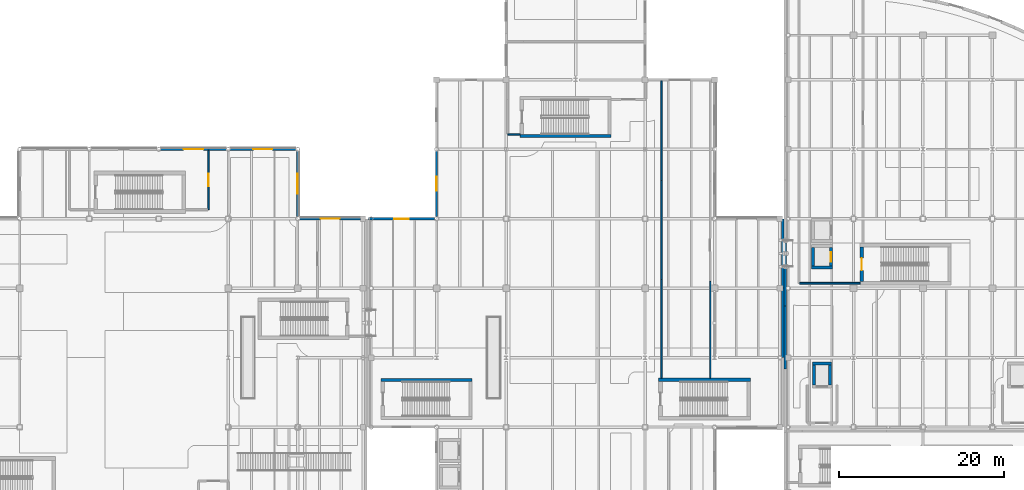
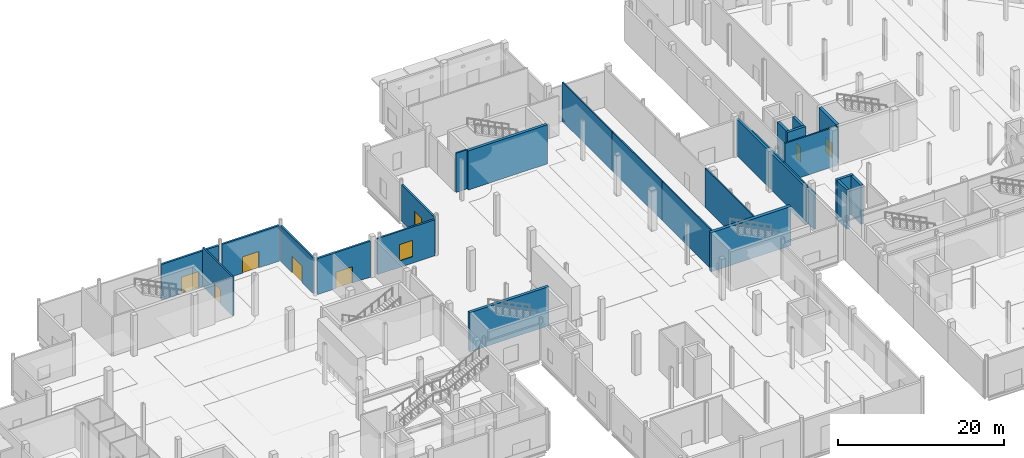
# One storey, part 49 of 85: 27 walls, 7 doors, 2 windows, 9 openings.
"""IFC4 building model written with IfcOpenShell, lengths in metres."""

from ifc_helpers import new_model, si_unit, direction, frame, frame_2d, origin, place, context, subcontext, project, spatial, rectangle, extrude, material, layer, layer_set, type_object, element, fill, save


model = new_model("IFC4")

# Units and contexts
model_context = context("Model", 3, precision=1e-05, world=origin(), true_north=direction((0.0, 1.0)))
body_context = subcontext(model_context, "Body", "Model", "MODEL_VIEW")
ifc_project = project(units=[si_unit("LENGTHUNIT", "METRE"), si_unit("AREAUNIT", "SQUARE_METRE"), si_unit("VOLUMEUNIT", "CUBIC_METRE"), si_unit("PLANEANGLEUNIT", "RADIAN"), si_unit("MASSUNIT", "GRAM", prefix="KILO"), si_unit("THERMODYNAMICTEMPERATUREUNIT", "KELVIN")], contexts=[model_context])

# Site, building, storey
site_placement = place(None, origin())
site = spatial("IfcSite", under=ifc_project, at=site_placement, CompositionType="ELEMENT")
building_placement = place(site_placement, origin())
building = spatial("IfcBuilding", under=site, at=building_placement, Name="Lustrewick Department Store", CompositionType="ELEMENT")
storey_placement = place(building_placement, origin())
storey = spatial("IfcBuildingStorey", under=building, at=storey_placement, Name="L01", CompositionType="ELEMENT", Elevation=0.0)

# Wall, opening, door
ifc_material_1 = material(Name="Precast concrete C40", Category="concrete")
ifc_layer_1 = layer(ifc_material_1, 0.239990234375, Name="Precast concrete C40")
ifc_layer_set_1 = layer_set([ifc_layer_1], Name="Precast concrete C40")
wall_type_1 = type_object("IfcWallType", Name="EW01", PredefinedType="STANDARD", material=ifc_layer_set_1)
wall_1_placement = place(storey_placement, frame((50.39990234375, 84.2490234375, 0.0), z_axis=(0.0, 0.0, 1.0), x_axis=(0.0, 1.0, 0.0)))
wall_1 = element("IfcWall", 1, at=wall_1_placement, inside=storey, type_object=wall_type_1, Name="L01 V1 Exterior Wall EW01", PredefinedType="STANDARD", context=body_context, shape_type="SweptSolid", body=[
    extrude(rectangle(XDim=7.927490234375, YDim=0.239990234375, at=frame_2d((3.9638671875, 0.0))), origin(), (0.0, 0.0, 1.0), 5.23095703125),
])
opening_1_placement = place(wall_1_placement, frame((2.763916015625, 0.0, 0.0)))
opening_1 = element("IfcOpeningElement", 2, at=opening_1_placement, cuts=wall_1, Name="Opening D-EX30", PredefinedType="OPENING", context=body_context, shape_type="SweptSolid", body=[
    extrude(rectangle(XDim=2.39990234375, YDim=2.39990234375, at=frame_2d((1.199951171875, 1.199951171875))), frame((0.0, 0.1298828125, 0.0), z_axis=(0.0, -1.0, 0.0), x_axis=(1.0, 0.0, 0.0)), (0.0, 0.0, 1.0), 0.260009765625),
])
ifc_material_2 = material(Name="Thermally broken glazed aluminium entrance door", Category="aluminium")
door_type_1 = type_object("IfcDoorType", Name="DT-02", OperationType="NOTDEFINED", PredefinedType="DOOR", material=ifc_material_2)
door_1_placement = place(opening_1_placement, frame((2.39990234375, 0.0, 0.0), z_axis=(0.0, 0.0, 1.0), x_axis=(-1.0, 0.0, 0.0)))
door_1 = element("IfcDoor", 3, at=door_1_placement, inside=storey, type_object=door_type_1, Name="L01 Pedestrian Final Exit Door D-EX30", OperationType="DOUBLE_DOOR_SINGLE_SWING", OverallHeight=2.39990234375, OverallWidth=2.39990234375, PredefinedType="DOOR", context=body_context, shape_type="SweptSolid", body=[
    extrude(rectangle(XDim=2.39990234375, YDim=2.39990234375, at=frame_2d((1.199951171875, 1.199951171875))), frame((0.0, 0.02490234375, 0.0), z_axis=(0.0, -1.0, 0.0), x_axis=(1.0, 0.0, 0.0)), (0.0, 0.0, 1.0), 0.050048828125),
])
fill(opening_1, door_1)

ifc_layer_2 = layer(ifc_material_1, 0.260009765625, Name="Precast concrete C40")
ifc_layer_set_2 = layer_set([ifc_layer_2], Name="Precast concrete C40")
wall_type_2 = type_object("IfcWallType", Name="EW02", PredefinedType="STANDARD", material=ifc_layer_set_2)
wall_2_placement = place(storey_placement, frame((50.176513671875, 92.39990234375, 0.0), z_axis=(0.0, 0.0, 1.0), x_axis=(-1.0, 0.0, 0.0)))
wall_2 = element("IfcWall", 4, at=wall_2_placement, inside=storey, type_object=wall_type_2, Name="L01 V1 Exterior Wall EW02", PredefinedType="STANDARD", context=body_context, shape_type="SweptSolid", body=[
    extrude(rectangle(XDim=7.953125, YDim=0.260009765625, at=frame_2d((3.9765625, 0.0))), origin(), (0.0, 0.0, 1.0), 5.23095703125),
])
opening_2_placement = place(wall_2_placement, frame((2.826416015625, 0.0, 0.0)))
opening_2 = element("IfcOpeningElement", 5, at=opening_2_placement, cuts=wall_2, Name="Opening D-EX33", PredefinedType="OPENING", context=body_context, shape_type="SweptSolid", body=[
    extrude(rectangle(XDim=2.300048828125, YDim=2.39990234375, at=frame_2d((1.14990234375, 1.199951171875))), frame((0.0, 0.14013671875, 0.0), z_axis=(0.0, -1.0, 0.0), x_axis=(1.0, 0.0, 0.0)), (0.0, 0.0, 1.0), 0.280029296875),
])
door_type_2 = type_object("IfcDoorType", Name="DT-01", OperationType="NOTDEFINED", PredefinedType="DOOR", material=ifc_material_2)
door_2_placement = place(opening_2_placement, frame((2.300048828125, 0.0, 0.0), z_axis=(0.0, 0.0, 1.0), x_axis=(-1.0, 0.0, 0.0)))
door_2 = element("IfcDoor", 6, at=door_2_placement, inside=storey, type_object=door_type_2, Name="L01 Pedestrian Final Exit Door D-EX33", OperationType="DOUBLE_DOOR_SINGLE_SWING", OverallHeight=2.39990234375, OverallWidth=2.300048828125, PredefinedType="DOOR", context=body_context, shape_type="SweptSolid", body=[
    extrude(rectangle(XDim=2.300048828125, YDim=2.39990234375, at=frame_2d((1.14990234375, 1.199951171875))), frame((0.0, 0.02490234375, 0.0), z_axis=(0.0, -1.0, 0.0), x_axis=(1.0, 0.0, 0.0)), (0.0, 0.0, 1.0), 0.050048828125),
])
fill(opening_2, door_2)

# Wall, opening, window
wall_3_placement = place(storey_placement, frame((67.199951171875, 92.176513671875, 0.0), z_axis=(0.0, 0.0, 1.0), x_axis=(0.0, -1.0, 0.0)))
wall_3 = element("IfcWall", 7, at=wall_3_placement, inside=storey, type_object=wall_type_2, Name="L01 V2 Exterior Wall EW02", PredefinedType="STANDARD", context=body_context, shape_type="SweptSolid", body=[
    extrude(rectangle(XDim=7.927490234375, YDim=0.260009765625, at=frame_2d((3.9638671875, 0.0))), origin(), (0.0, 0.0, 1.0), 5.386962890625),
])
opening_3_placement = place(wall_3_placement, frame((3.123779296875, 0.0, 0.949951171875)))
opening_3 = element("IfcOpeningElement", 8, at=opening_3_placement, cuts=wall_3, Name="Opening WN15", PredefinedType="OPENING", context=body_context, shape_type="SweptSolid", body=[
    extrude(rectangle(XDim=1.679931640625, YDim=2.39990234375, at=frame_2d((0.83984375, 1.199951171875))), frame((0.0, 0.14013671875, 0.0), z_axis=(0.0, -1.0, 0.0), x_axis=(1.0, 0.0, 0.0)), (0.0, 0.0, 1.0), 0.280029296875),
])
ifc_material_3 = material(Name="Thermally broken Low-E triple-glazed window", Category="glass")
window_type_1 = type_object("IfcWindowType", Name="WN15", PartitioningType="DOUBLE_PANEL_VERTICAL", PredefinedType="WINDOW", material=ifc_material_3)
window_1_placement = place(opening_3_placement, origin())
window_1 = element("IfcWindow", 9, at=window_1_placement, inside=storey, type_object=window_type_1, Name="L01 Art Nouveau Window WN15", OverallHeight=2.39990234375, OverallWidth=1.679931640625, PartitioningType="SINGLE_PANEL", PredefinedType="WINDOW", context=body_context, shape_type="SweptSolid", body=[
    extrude(rectangle(XDim=1.679931640625, YDim=2.39990234375, at=frame_2d((0.83984375, 1.199951171875))), frame((0.0, 0.030029296875, 0.0), z_axis=(0.0, -1.0, 0.0), x_axis=(1.0, 0.0, 0.0)), (0.0, 0.0, 1.0), 0.06005859375),
])
fill(opening_3, window_1)

wall_4_placement = place(storey_placement, frame((66.950927734375, 84.0, 0.0), z_axis=(0.0, 0.0, 1.0), x_axis=(-1.0, 0.0, 0.0)))
wall_4 = element("IfcWall", 10, at=wall_4_placement, inside=storey, type_object=wall_type_2, Name="L01 V2 Exterior Wall EW02", PredefinedType="STANDARD", context=body_context, shape_type="SweptSolid", body=[
    extrude(rectangle(XDim=8.0009765625, YDim=0.260009765625, at=frame_2d((4.00048828125, 0.0))), origin(), (0.0, 0.0, 1.0), 5.297119140625),
])
opening_4_placement = place(wall_4_placement, frame((3.1005859375, 0.0, 0.949951171875)))
opening_4 = element("IfcOpeningElement", 11, at=opening_4_placement, cuts=wall_4, Name="Opening WN16", PredefinedType="OPENING", context=body_context, shape_type="SweptSolid", body=[
    extrude(rectangle(XDim=1.800048828125, YDim=2.39990234375, at=frame_2d((0.89990234375, 1.199951171875))), frame((0.0, 0.14013671875, 0.0), z_axis=(0.0, -1.0, 0.0), x_axis=(1.0, 0.0, 0.0)), (0.0, 0.0, 1.0), 0.280029296875),
])
window_type_2 = type_object("IfcWindowType", Name="WN16", PartitioningType="DOUBLE_PANEL_VERTICAL", PredefinedType="WINDOW", material=ifc_material_3)
window_2_placement = place(opening_4_placement, origin())
window_2 = element("IfcWindow", 12, at=window_2_placement, inside=storey, type_object=window_type_2, Name="L01 Art Nouveau Window WN16", OverallHeight=2.39990234375, OverallWidth=1.800048828125, PartitioningType="SINGLE_PANEL", PredefinedType="WINDOW", context=body_context, shape_type="SweptSolid", body=[
    extrude(rectangle(XDim=1.800048828125, YDim=2.39990234375, at=frame_2d((0.89990234375, 1.199951171875))), frame((0.0, 0.030029296875, 0.0), z_axis=(0.0, -1.0, 0.0), x_axis=(1.0, 0.0, 0.0)), (0.0, 0.0, 1.0), 0.06005859375),
])
fill(opening_4, window_2)

# Wall, opening, door
ifc_layer_3 = layer(ifc_material_1, 0.280029296875, Name="Precast concrete C40")
ifc_layer_set_3 = layer_set([ifc_layer_3], Name="Precast concrete C40")
wall_type_3 = type_object("IfcWallType", Name="EW03", PredefinedType="STANDARD", material=ifc_layer_set_3)
wall_5_placement = place(storey_placement, frame((57.97998046875, 84.0, 0.0), z_axis=(0.0, 0.0, 1.0), x_axis=(-1.0, 0.0, 0.0)))
wall_5 = element("IfcWall", 13, at=wall_5_placement, inside=storey, type_object=wall_type_3, Name="L01 V1 Exterior Wall EW03", PredefinedType="STANDARD", context=body_context, shape_type="SweptSolid", body=[
    extrude(rectangle(XDim=7.3310546875, YDim=0.280029296875, at=frame_2d((3.66552734375, 0.0))), origin(), (0.0, 0.0, 1.0), 5.297119140625),
])
opening_5_placement = place(wall_5_placement, frame((2.515380859375, 0.0, 0.0)))
opening_5 = element("IfcOpeningElement", 14, at=opening_5_placement, cuts=wall_5, Name="Opening D-EX27", PredefinedType="OPENING", context=body_context, shape_type="SweptSolid", body=[
    extrude(rectangle(XDim=2.300048828125, YDim=2.39990234375, at=frame_2d((1.14990234375, 1.199951171875))), frame((0.0, 0.14990234375, 0.0), z_axis=(0.0, -1.0, 0.0), x_axis=(1.0, 0.0, 0.0)), (0.0, 0.0, 1.0), 0.300048828125),
])
door_3_placement = place(opening_5_placement, frame((2.300048828125, 0.0, 0.0), z_axis=(0.0, 0.0, 1.0), x_axis=(-1.0, 0.0, 0.0)))
door_3 = element("IfcDoor", 15, at=door_3_placement, inside=storey, type_object=door_type_2, Name="L01 Pedestrian Final Exit Door D-EX27", OperationType="DOUBLE_DOOR_SINGLE_SWING", OverallHeight=2.39990234375, OverallWidth=2.300048828125, PredefinedType="DOOR", context=body_context, shape_type="SweptSolid", body=[
    extrude(rectangle(XDim=2.300048828125, YDim=2.39990234375, at=frame_2d((1.14990234375, 1.199951171875))), frame((0.0, 0.02490234375, 0.0), z_axis=(0.0, -1.0, 0.0), x_axis=(1.0, 0.0, 0.0)), (0.0, 0.0, 1.0), 0.050048828125),
])
fill(opening_5, door_3)

wall_6_placement = place(storey_placement, frame((41.776611328125, 92.39990234375, 0.0), z_axis=(0.0, 0.0, 1.0), x_axis=(-1.0, 0.0, 0.0)))
wall_6 = element("IfcWall", 16, at=wall_6_placement, inside=storey, type_object=wall_type_3, Name="L01 V1 Exterior Wall EW03", PredefinedType="STANDARD", context=body_context, shape_type="SweptSolid", body=[
    extrude(rectangle(XDim=7.953125, YDim=0.280029296875, at=frame_2d((3.9765625, 0.0))), origin(), (0.0, 0.0, 1.0), 5.23095703125),
])
opening_6_placement = place(wall_6_placement, frame((2.776611328125, 0.0, 0.0)))
opening_6 = element("IfcOpeningElement", 17, at=opening_6_placement, cuts=wall_6, Name="Opening D-EX36", PredefinedType="OPENING", context=body_context, shape_type="SweptSolid", body=[
    extrude(rectangle(XDim=2.39990234375, YDim=2.39990234375, at=frame_2d((1.199951171875, 1.199951171875))), frame((0.0, 0.14990234375, 0.0), z_axis=(0.0, -1.0, 0.0), x_axis=(1.0, 0.0, 0.0)), (0.0, 0.0, 1.0), 0.300048828125),
])
door_4_placement = place(opening_6_placement, frame((2.39990234375, 0.0, 0.0), z_axis=(0.0, 0.0, 1.0), x_axis=(-1.0, 0.0, 0.0)))
door_4 = element("IfcDoor", 18, at=door_4_placement, inside=storey, type_object=door_type_1, Name="L01 Pedestrian Final Exit Door D-EX36", OperationType="DOUBLE_DOOR_SINGLE_SWING", OverallHeight=2.39990234375, OverallWidth=2.39990234375, PredefinedType="DOOR", context=body_context, shape_type="SweptSolid", body=[
    extrude(rectangle(XDim=2.39990234375, YDim=2.39990234375, at=frame_2d((1.199951171875, 1.199951171875))), frame((0.0, 0.02490234375, 0.0), z_axis=(0.0, -1.0, 0.0), x_axis=(1.0, 0.0, 0.0)), (0.0, 0.0, 1.0), 0.050048828125),
])
fill(opening_6, door_4)

# Walls
ifc_layer_4 = layer(ifc_material_1, 0.300048828125, Name="Precast concrete C40")
ifc_layer_set_4 = layer_set([ifc_layer_4], Name="Precast concrete C40")
wall_type_4 = type_object("IfcWallType", Name="EW04", PredefinedType="STANDARD", material=ifc_layer_set_4)
wall_7_placement = place(storey_placement, frame((109.050048828125, 67.199951171875, 0.0), z_axis=(0.0, 0.0, 1.0), x_axis=(0.0, 1.0, 0.0)))
element("IfcWall", 19, at=wall_7_placement, inside=storey, type_object=wall_type_4, Name="L01 V2 Exterior Wall EW04", PredefinedType="STANDARD", context=body_context, shape_type="SweptSolid", body=[
    extrude(rectangle(XDim=8.400146484375, YDim=0.300048828125, at=frame_2d((4.2001953125, 0.0))), origin(), (0.0, 0.0, 1.0), 5.386962890625),
])
wall_8_placement = place(storey_placement, frame((109.050048828125, 75.60009765625, 0.0), z_axis=(0.0, 0.0, 1.0), x_axis=(0.0, 1.0, 0.0)))
element("IfcWall", 20, at=wall_8_placement, inside=storey, type_object=wall_type_4, Name="L01 V2 Exterior Wall EW04", PredefinedType="STANDARD", context=body_context, shape_type="SweptSolid", body=[
    extrude(rectangle(XDim=8.39990234375, YDim=0.300048828125, at=frame_2d((4.199951171875, 0.0))), origin(), (0.0, 0.0, 1.0), 5.386962890625),
])
wall_9_placement = place(storey_placement, frame((109.35009765625, 81.074951171875, 0.0), z_axis=(0.0, 0.0, 1.0), x_axis=(0.0, -1.0, 0.0)))
element("IfcWall", 21, at=wall_9_placement, inside=storey, type_object=wall_type_4, Name="L01 V4 Exterior Wall EW04", PredefinedType="STANDARD", context=body_context, shape_type="SweptSolid", body=[
    extrude(rectangle(XDim=7.63134765625, YDim=0.300048828125, at=frame_2d((3.815673828125, 0.0))), origin(), (0.0, 0.0, 1.0), 5.23095703125),
])
wall_10_placement = place(storey_placement, frame((109.35009765625, 73.443603515625, 0.0), z_axis=(0.0, 0.0, 1.0), x_axis=(0.0, -1.0, 0.0)))
element("IfcWall", 22, at=wall_10_placement, inside=storey, type_object=wall_type_4, Name="L01 V4 Exterior Wall EW04", PredefinedType="STANDARD", context=body_context, shape_type="SweptSolid", body=[
    extrude(rectangle(XDim=7.631103515625, YDim=0.300048828125, at=frame_2d((3.8154296875, 0.0))), origin(), (0.0, 0.0, 1.0), 5.23095703125),
])

# Wall, opening, door
ifc_material_4 = material(Name="Autoclaved aerated concrete blockwork and fire board", Category="masonry")
ifc_layer_5 = layer(ifc_material_4, 0.205078125, Name="Autoclaved aerated concrete blockwork and fire board")
ifc_layer_set_5 = layer_set([ifc_layer_5], Name="Autoclaved aerated concrete blockwork and fire board")
wall_type_5 = type_object("IfcWallType", Name="PW02", PredefinedType="PARTITIONING", material=ifc_layer_set_5)
wall_11_placement = place(storey_placement, frame((39.60009765625, 85.10009765625, 0.0), z_axis=(0.0, 0.0, 1.0), x_axis=(0.0, 1.0, 0.0)))
wall_11 = element("IfcWall", 23, at=wall_11_placement, inside=storey, type_object=wall_type_5, Name="L01 Protected Exit Passageway ST03 PW02", PredefinedType="PARTITIONING", context=body_context, shape_type="SweptSolid", body=[
    extrude(rectangle(XDim=7.164794921875, YDim=0.205078125, at=frame_2d((3.58251953125, 0.0))), origin(), (0.0, 0.0, 1.0), 5.7451171875),
])
opening_7_placement = place(wall_11_placement, frame((2.83251953125, 0.0, 0.0)))
opening_7 = element("IfcOpeningElement", 24, at=opening_7_placement, cuts=wall_11, Name="Opening D-L01-043", PredefinedType="OPENING", context=body_context, shape_type="SweptSolid", body=[
    extrude(rectangle(XDim=1.5, YDim=2.14990234375, at=frame_2d((0.75, 1.074951171875))), frame((0.0, 0.112548828125, 0.0), z_axis=(0.0, -1.0, 0.0), x_axis=(1.0, 0.0, 0.0)), (0.0, 0.0, 1.0), 0.22509765625),
])
ifc_material_5 = material(Name="Steel fire door Class B EI 60", Category="steel")
door_type_3 = type_object("IfcDoorType", Name="DT-07", OperationType="NOTDEFINED", PredefinedType="DOOR", material=ifc_material_5)
door_5_placement = place(opening_7_placement, origin())
door_5 = element("IfcDoor", 25, at=door_5_placement, inside=storey, type_object=door_type_3, Name="L01 Protected Exit Passageway ST03 Door D-L01-043", OperationType="SINGLE_SWING_RIGHT", OverallHeight=2.14990234375, OverallWidth=1.5, PredefinedType="DOOR", context=body_context, shape_type="SweptSolid", body=[
    extrude(rectangle(XDim=1.5, YDim=2.14990234375, at=frame_2d((0.75, 1.074951171875))), frame((0.0, 0.02490234375, 0.0), z_axis=(0.0, -1.0, 0.0), x_axis=(1.0, 0.0, 0.0)), (0.0, 0.0, 1.0), 0.050048828125),
])
fill(opening_7, door_5)

# Walls
wall_12_placement = place(storey_placement, frame((75.800048828125, 94.199951171875, 0.0), z_axis=(0.0, 0.0, 1.0), x_axis=(1.0, 0.0, 0.0)))
element("IfcWall", 26, at=wall_12_placement, inside=storey, type_object=wall_type_5, Name="L01 Protected Exit Passageway ST06 PW02", PredefinedType="PARTITIONING", context=body_context, shape_type="SweptSolid", body=[
    extrude(rectangle(XDim=1.5, YDim=0.205078125, at=frame_2d((0.75, 0.0))), origin(), (0.0, 0.0, 1.0), 5.7451171875),
])
wall_13_placement = place(storey_placement, frame((111.097412109375, 76.199951171875, 0.0), z_axis=(0.0, 0.0, 1.0), x_axis=(1.0, 0.0, 0.0)))
element("IfcWall", 27, at=wall_13_placement, inside=storey, type_object=wall_type_5, Name="L01 Protected Exit Passageway ST10 PW02", PredefinedType="PARTITIONING", context=body_context, shape_type="SweptSolid", body=[
    extrude(rectangle(XDim=7.302490234375, YDim=0.205078125, at=frame_2d((3.6513671875, 0.0))), origin(), (0.0, 0.0, 1.0), 5.7451171875),
])
ifc_material_6 = material(Name="Double-stud gypsum fire board with mineral wool", Category="gypsum")
ifc_layer_6 = layer(ifc_material_6, 0.1650390625, Name="Double-stud gypsum fire board with mineral wool")
ifc_layer_set_6 = layer_set([ifc_layer_6], Name="Double-stud gypsum fire board with mineral wool")
wall_type_6 = type_object("IfcWallType", Name="PW04", PredefinedType="PARTITIONING", material=ifc_layer_set_6)
wall_14_placement = place(storey_placement, frame((100.275146484375, 64.7451171875, 0.0), z_axis=(0.0, 0.0, 1.0), x_axis=(0.0, 1.0, 0.0)))
element("IfcWall", 28, at=wall_14_placement, inside=storey, type_object=wall_type_6, Name="L01 Enclosed Truck Loading Dock PW04", PredefinedType="PARTITIONING", context=body_context, shape_type="SweptSolid", body=[
    extrude(rectangle(XDim=11.681640625, YDim=0.1650390625, at=frame_2d((5.8408203125, 0.0))), origin(), (0.0, 0.0, 1.0), 5.7451171875),
])
wall_15_placement = place(storey_placement, frame((94.40283203125, 100.675048828125, 0.0), z_axis=(0.0, 0.0, 1.0), x_axis=(0.0, -1.0, 0.0)))
element("IfcWall", 29, at=wall_15_placement, inside=storey, type_object=wall_type_6, Name="L01 Enclosed Truck Loading Dock PW04", PredefinedType="PARTITIONING", context=body_context, shape_type="SweptSolid", body=[
    extrude(rectangle(XDim=12.03173828125, YDim=0.1650390625, at=frame_2d((6.015869140625, 0.0))), origin(), (0.0, 0.0, 1.0), 5.7451171875),
])
wall_16_placement = place(storey_placement, frame((94.40283203125, 88.643310546875, 0.0), z_axis=(0.0, 0.0, 1.0), x_axis=(0.0, -1.0, 0.0)))
element("IfcWall", 30, at=wall_16_placement, inside=storey, type_object=wall_type_6, Name="L01 Enclosed Truck Loading Dock PW04", PredefinedType="PARTITIONING", context=body_context, shape_type="SweptSolid", body=[
    extrude(rectangle(XDim=12.0166015625, YDim=0.1650390625, at=frame_2d((6.00830078125, 0.0))), origin(), (0.0, 0.0, 1.0), 5.7451171875),
])
wall_17_placement = place(storey_placement, frame((94.40283203125, 76.626708984375, 0.0), z_axis=(0.0, 0.0, 1.0), x_axis=(0.0, -1.0, 0.0)))
element("IfcWall", 31, at=wall_17_placement, inside=storey, type_object=wall_type_6, Name="L01 Enclosed Truck Loading Dock PW04", PredefinedType="PARTITIONING", context=body_context, shape_type="SweptSolid", body=[
    extrude(rectangle(XDim=11.881591796875, YDim=0.1650390625, at=frame_2d((5.94091796875, 0.0))), origin(), (0.0, 0.0, 1.0), 5.7451171875),
])
ifc_material_7 = material(Name="Concrete C50", Category="concrete")
ifc_layer_7 = layer(ifc_material_7, 0.449951171875, Name="Concrete C50")
ifc_layer_set_7 = layer_set([ifc_layer_7], Name="Concrete C50")
wall_type_7 = type_object("IfcWallType", Name="SW01", PredefinedType="SHEAR", material=ifc_layer_set_7)
wall_18_placement = place(storey_placement, frame((105.14990234375, 64.52490234375, 0.0), z_axis=(0.0, 0.0, 1.0), x_axis=(-1.0, 0.0, 0.0)))
element("IfcWall", 32, at=wall_18_placement, inside=storey, type_object=wall_type_7, Name="L01 Stair Core ST05 Shear Wall N", PredefinedType="SHEAR", context=body_context, shape_type="SweptSolid", body=[
    extrude(rectangle(XDim=11.099853515625, YDim=0.449951171875, at=frame_2d((5.5498046875, 0.0))), origin(), (0.0, 0.0, 1.0), 5.7451171875),
])
ifc_layer_8 = layer(ifc_material_7, 0.39990234375, Name="Concrete C50")
ifc_layer_set_8 = layer_set([ifc_layer_8], Name="Concrete C50")
wall_type_8 = type_object("IfcWallType", Name="SW02", PredefinedType="SHEAR", material=ifc_layer_set_8)
for number, where, z_axis, x_axis, name in (
    (33, (71.5, 64.5, 0.0), (0.0, 0.0, 1.0), (-1.0, 0.0, 0.0), "L01 Stair Core ST04 Shear Wall N"),
    (34, (77.300048828125, 94.0, 0.0), (0.0, 0.0, 1.0), (1.0, 0.0, 0.0), "L01 Stair Core ST06 Shear Wall S"),
):
    element("IfcWall", number, at=place(storey_placement, frame(where, z_axis=z_axis, x_axis=x_axis)), inside=storey, type_object=wall_type_8, Name=name, PredefinedType="SHEAR", context=body_context, shape_type="SweptSolid", body=[
        extrude(rectangle(XDim=11.0, YDim=0.39990234375, at=frame_2d((5.5, 0.0))), origin(), (0.0, 0.0, 1.0), 5.7451171875),
    ])

# Wall, opening, door
wall_19_placement = place(storey_placement, frame((118.60009765625, 80.60009765625, 0.0), z_axis=(0.0, 0.0, 1.0), x_axis=(0.0, -1.0, 0.0)))
wall_19 = element("IfcWall", 35, at=wall_19_placement, inside=storey, type_object=wall_type_8, Name="L01 Stair Core ST10 Shear Wall W", PredefinedType="SHEAR", context=body_context, shape_type="SweptSolid", body=[
    extrude(rectangle(XDim=4.2001953125, YDim=0.39990234375, at=frame_2d((2.10009765625, 0.0))), origin(), (0.0, 0.0, 1.0), 5.7451171875),
])
opening_8_placement = place(wall_19_placement, frame((1.35009765625, 0.0, 0.0)))
opening_8 = element("IfcOpeningElement", 36, at=opening_8_placement, cuts=wall_19, Name="Opening D-L01-010", PredefinedType="OPENING", context=body_context, shape_type="SweptSolid", body=[
    extrude(rectangle(XDim=1.5, YDim=2.14990234375, at=frame_2d((0.75, 1.074951171875))), frame((0.0, 0.2099609375, 0.0), z_axis=(0.0, -1.0, 0.0), x_axis=(1.0, 0.0, 0.0)), (0.0, 0.0, 1.0), 0.419921875),
])
door_6_placement = place(opening_8_placement, frame((1.5, 0.0, 0.0), z_axis=(0.0, 0.0, 1.0), x_axis=(-1.0, 0.0, 0.0)))
door_6 = element("IfcDoor", 37, at=door_6_placement, inside=storey, type_object=door_type_3, Name="L01 Smoke-Proof Stair ST10 Fire Door", OperationType="SINGLE_SWING_RIGHT", OverallHeight=2.14990234375, OverallWidth=1.5, PredefinedType="DOOR", context=body_context, shape_type="SweptSolid", body=[
    extrude(rectangle(XDim=1.5, YDim=2.14990234375, at=frame_2d((0.75, 1.074951171875))), frame((0.0, 0.02490234375, 0.0), z_axis=(0.0, -1.0, 0.0), x_axis=(1.0, 0.0, 0.0)), (0.0, 0.0, 1.0), 0.050048828125),
])
fill(opening_8, door_6)

# Walls
ifc_material_8 = material(Name="Concrete C40", Category="concrete")
ifc_layer_9 = layer(ifc_material_8, 0.360107421875, Name="Concrete C40")
ifc_layer_set_9 = layer_set([ifc_layer_9], Name="Concrete C40")
wall_type_9 = type_object("IfcWallType", Name="SW04", PredefinedType="SHEAR", material=ifc_layer_set_9)
wall_20_placement = place(storey_placement, frame((114.780029296875, 63.89990234375, 0.0), z_axis=(0.0, 0.0, 1.0), x_axis=(0.0, 1.0, 0.0)))
element("IfcWall", 38, at=wall_20_placement, inside=storey, type_object=wall_type_9, Name="L01 Lift FFL-04 Shaft Wall +X", PredefinedType="SHEAR", context=body_context, shape_type="SweptSolid", body=[
    extrude(rectangle(XDim=2.400146484375, YDim=0.360107421875, at=frame_2d((1.2001953125, 0.0))), origin(), (0.0, 0.0, 1.0), 5.7451171875),
])
wall_21_placement = place(storey_placement, frame((114.9599609375, 66.47998046875, 0.0), z_axis=(0.0, 0.0, 1.0), x_axis=(-1.0, 0.0, 0.0)))
element("IfcWall", 39, at=wall_21_placement, inside=storey, type_object=wall_type_9, Name="L01 Lift FFL-04 Shaft Wall +Y", PredefinedType="SHEAR", context=body_context, shape_type="SweptSolid", body=[
    extrude(rectangle(XDim=2.320068359375, YDim=0.360107421875, at=frame_2d((1.16015625, 0.0))), origin(), (0.0, 0.0, 1.0), 5.7451171875),
])
wall_22_placement = place(storey_placement, frame((112.820068359375, 66.300048828125, 0.0), z_axis=(0.0, 0.0, 1.0), x_axis=(0.0, -1.0, 0.0)))
element("IfcWall", 40, at=wall_22_placement, inside=storey, type_object=wall_type_9, Name="L01 Lift FFL-04 Shaft Wall -X", PredefinedType="SHEAR", context=body_context, shape_type="SweptSolid", body=[
    extrude(rectangle(XDim=2.400146484375, YDim=0.360107421875, at=frame_2d((1.2001953125, 0.0))), origin(), (0.0, 0.0, 1.0), 5.7451171875),
])
wall_23_placement = place(storey_placement, frame((112.5400390625, 78.1201171875, 0.0), z_axis=(0.0, 0.0, 1.0), x_axis=(1.0, 0.0, 0.0)))
element("IfcWall", 41, at=wall_23_placement, inside=storey, type_object=wall_type_9, Name="L01 Lift PL-07 Shaft Wall -Y", PredefinedType="SHEAR", context=body_context, shape_type="SweptSolid", body=[
    extrude(rectangle(XDim=2.52001953125, YDim=0.360107421875, at=frame_2d((1.260009765625, 0.0))), origin(), (0.0, 0.0, 1.0), 5.7451171875),
])

# Wall, opening, door
wall_24_placement = place(storey_placement, frame((114.8798828125, 78.300048828125, 0.0), z_axis=(0.0, 0.0, 1.0), x_axis=(0.0, 1.0, 0.0)))
wall_24 = element("IfcWall", 42, at=wall_24_placement, inside=storey, type_object=wall_type_9, Name="L01 Lift PL-07 Shaft Wall +X", PredefinedType="SHEAR", context=body_context, shape_type="SweptSolid", body=[
    extrude(rectangle(XDim=2.199951171875, YDim=0.360107421875, at=frame_2d((1.10009765625, 0.0))), origin(), (0.0, 0.0, 1.0), 5.7451171875),
])
opening_9_placement = place(wall_24_placement, frame((0.52490234375, 0.0, 0.0)))
opening_9 = element("IfcOpeningElement", 43, at=opening_9_placement, cuts=wall_24, Name="Opening LD-L01-11", PredefinedType="OPENING", context=body_context, shape_type="SweptSolid", body=[
    extrude(rectangle(XDim=1.14990234375, YDim=2.199951171875, at=frame_2d((0.574951171875, 1.10009765625))), frame((0.0, 0.18994140625, 0.0), z_axis=(0.0, -1.0, 0.0), x_axis=(1.0, 0.0, 0.0)), (0.0, 0.0, 1.0), 0.380126953125),
])
ifc_material_9 = material(Name="Brushed bronze passenger lift landing door EI 60", Category="steel")
door_type_4 = type_object("IfcDoorType", Name="DT-16", OperationType="NOTDEFINED", PredefinedType="DOOR", material=ifc_material_9)
door_7_placement = place(opening_9_placement, frame((1.14990234375, 0.0, 0.0), z_axis=(0.0, 0.0, 1.0), x_axis=(-1.0, 0.0, 0.0)))
door_7 = element("IfcDoor", 44, at=door_7_placement, inside=storey, type_object=door_type_4, Name="L01 Lift PL-07 Sliding Landing Door LD-L01-11", OperationType="DOUBLE_DOOR_SLIDING", OverallHeight=2.199951171875, OverallWidth=1.14990234375, PredefinedType="DOOR", context=body_context, shape_type="SweptSolid", body=[
    extrude(rectangle(XDim=1.14990234375, YDim=2.199951171875, at=frame_2d((0.574951171875, 1.10009765625))), frame((0.0, 0.02490234375, 0.0), z_axis=(0.0, -1.0, 0.0), x_axis=(1.0, 0.0, 0.0)), (0.0, 0.0, 1.0), 0.050048828125),
])
fill(opening_9, door_7)

# Wall
wall_25_placement = place(storey_placement, frame((112.719970703125, 80.5, 0.0), z_axis=(0.0, 0.0, 1.0), x_axis=(0.0, -1.0, 0.0)))
element("IfcWall", 45, at=wall_25_placement, inside=storey, type_object=wall_type_9, Name="L01 Lift PL-07 Shaft Wall -X", PredefinedType="SHEAR", context=body_context, shape_type="SweptSolid", body=[
    extrude(rectangle(XDim=2.199951171875, YDim=0.360107421875, at=frame_2d((1.10009765625, 0.0))), origin(), (0.0, 0.0, 1.0), 5.7451171875),
])

save(model, "model.ifc")
